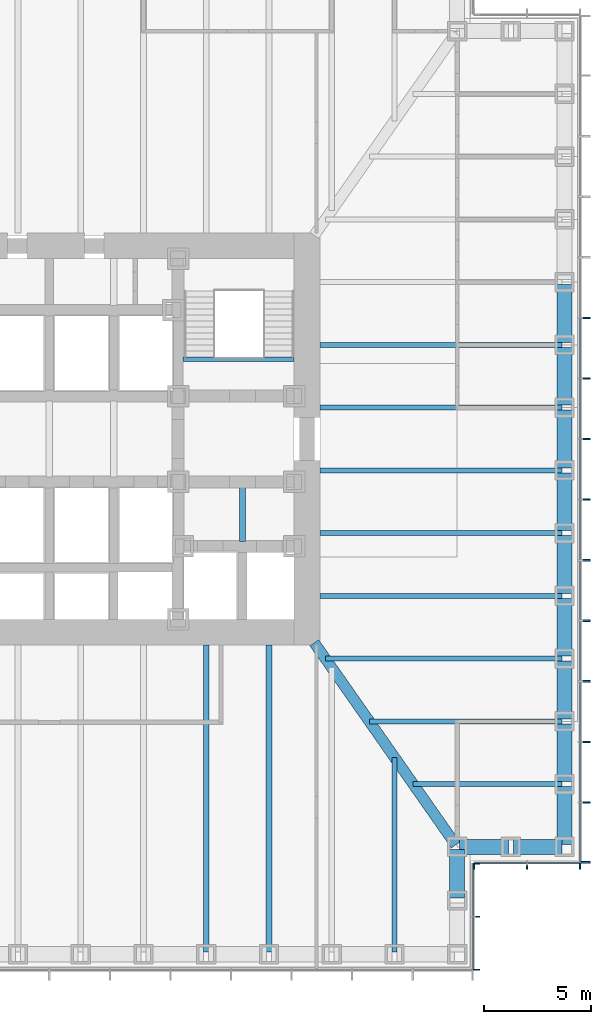
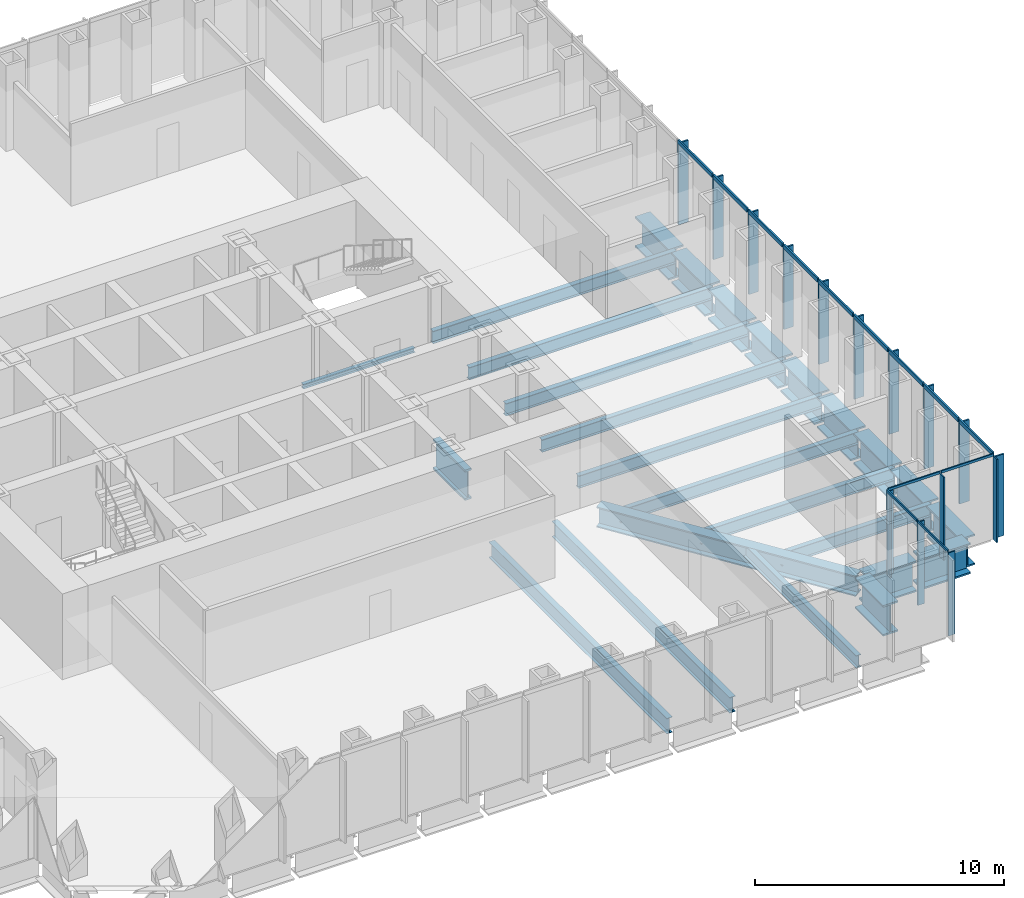
# One storey, part 4 of 17: 29 members, 26 beams, 3 elements without a shape of their own.
"""IFC4 building model written with IfcOpenShell, lengths in metres."""

from ifc_helpers import new_model, si_unit, direction, frame, origin, origin_2d, place, context, subcontext, project, spatial, rectangle, i_section, extrude, material, material_profile, profile_set, type_object, element, aggregate, save


model = new_model("IFC4")

# Units and contexts
model_context = context("Model", 3, precision=1e-05, world=origin(), true_north=direction((0.0, 1.0)))
body_context = subcontext(model_context, "Body", "Model", "MODEL_VIEW")
ifc_project = project(units=[si_unit("LENGTHUNIT", "METRE"), si_unit("AREAUNIT", "SQUARE_METRE"), si_unit("VOLUMEUNIT", "CUBIC_METRE"), si_unit("PLANEANGLEUNIT", "RADIAN"), si_unit("MASSUNIT", "GRAM", prefix="KILO")], contexts=[model_context])

# Site, building, storey
site_placement = place(None, origin())
site = spatial("IfcSite", under=ifc_project, at=site_placement, CompositionType="ELEMENT")
building_placement = place(site_placement, origin())
building = spatial("IfcBuilding", under=site, at=building_placement, Name="Daluyong Arena Tower", CompositionType="ELEMENT")
storey_placement = place(building_placement, frame((0.0, 0.0, 55.89990234375)))
storey = spatial("IfcBuildingStorey", under=building, at=storey_placement, Name="L11", CompositionType="ELEMENT", Elevation=55.89990234375)

# Curtain wall, members
ifc_material_1 = material(Name="Bronze anodised aluminium and glass", Category="aluminium")
curtain_wall_type_1 = type_object("IfcCurtainWallType", Name="Curtain wall CW1", PredefinedType="USERDEFINED", material=ifc_material_1)
curtain_wall_1_placement = place(storey_placement, origin())
curtain_wall_1 = element("IfcCurtainWall", 1, at=curtain_wall_1_placement, inside=storey, type_object=curtain_wall_type_1, Name="curtain wall L11 E", ObjectType="UNITISED CURTAIN WALL", PredefinedType="USERDEFINED")
ifc_material_2 = material(Name="Bronze anodised aluminium fin", Category="aluminium")
ifc_material_profile_1 = material_profile(ifc_material_2, rectangle(XDim=0.449951171875, YDim=0.080078125, at=origin_2d()))
ifc_profile_set_1 = profile_set([ifc_material_profile_1], Name="Bronze anodised aluminium fin")
member_type_1 = type_object("IfcMemberType", Name="CW1 bronze fin 450x80", PredefinedType="MULLION", material=ifc_profile_set_1)
member_1_placement = place(storey_placement, frame((80.97509765625, 60.2900390625, 0.0), z_axis=(0.0, 0.0, 1.0), x_axis=(-1.0, 0.0, 0.0)))
member_1 = element("IfcMember", 2, at=member_1_placement, type_object=member_type_1, Name="curtain wall L11 E fin 1", PredefinedType="MULLION", context=body_context, shape_type="SweptSolid", body=[
    extrude(rectangle(XDim=0.449951171875, YDim=0.080078125, at=origin_2d()), origin(), (0.0, 0.0, 1.0), 4.0),
])
member_2_placement = place(storey_placement, frame((80.97509765625, 63.071533203125, 0.0), z_axis=(0.0, 0.0, 1.0), x_axis=(-1.0, 0.0, 0.0)))
member_2 = element("IfcMember", 3, at=member_2_placement, type_object=member_type_1, Name="curtain wall L11 E fin 2", PredefinedType="MULLION", context=body_context, shape_type="SweptSolid", body=[
    extrude(rectangle(XDim=0.449951171875, YDim=0.080078125, at=origin_2d()), origin(), (0.0, 0.0, 1.0), 4.0),
])
member_3_placement = place(storey_placement, frame((80.97509765625, 65.892822265625, 0.0), z_axis=(0.0, 0.0, 1.0), x_axis=(-1.0, 0.0, 0.0)))
member_3 = element("IfcMember", 4, at=member_3_placement, type_object=member_type_1, Name="curtain wall L11 E fin 3", PredefinedType="MULLION", context=body_context, shape_type="SweptSolid", body=[
    extrude(rectangle(XDim=0.449951171875, YDim=0.080078125, at=origin_2d()), origin(), (0.0, 0.0, 1.0), 4.0),
])
member_4_placement = place(storey_placement, frame((80.97509765625, 68.71435546875, 0.0), z_axis=(0.0, 0.0, 1.0), x_axis=(-1.0, 0.0, 0.0)))
member_4 = element("IfcMember", 5, at=member_4_placement, type_object=member_type_1, Name="curtain wall L11 E fin 4", PredefinedType="MULLION", context=body_context, shape_type="SweptSolid", body=[
    extrude(rectangle(XDim=0.449951171875, YDim=0.080078125, at=origin_2d()), origin(), (0.0, 0.0, 1.0), 4.0),
])
member_5_placement = place(storey_placement, frame((80.97509765625, 71.53564453125, 0.0), z_axis=(0.0, 0.0, 1.0), x_axis=(-1.0, 0.0, 0.0)))
member_5 = element("IfcMember", 6, at=member_5_placement, type_object=member_type_1, Name="curtain wall L11 E fin 5", PredefinedType="MULLION", context=body_context, shape_type="SweptSolid", body=[
    extrude(rectangle(XDim=0.449951171875, YDim=0.080078125, at=origin_2d()), origin(), (0.0, 0.0, 1.0), 4.0),
])
member_6_placement = place(storey_placement, frame((80.97509765625, 74.357177734375, 0.0), z_axis=(0.0, 0.0, 1.0), x_axis=(-1.0, 0.0, 0.0)))
member_6 = element("IfcMember", 7, at=member_6_placement, type_object=member_type_1, Name="curtain wall L11 E fin 6", PredefinedType="MULLION", context=body_context, shape_type="SweptSolid", body=[
    extrude(rectangle(XDim=0.449951171875, YDim=0.080078125, at=origin_2d()), origin(), (0.0, 0.0, 1.0), 4.0),
])
member_7_placement = place(storey_placement, frame((80.97509765625, 77.178466796875, 0.0), z_axis=(0.0, 0.0, 1.0), x_axis=(-1.0, 0.0, 0.0)))
member_7 = element("IfcMember", 8, at=member_7_placement, type_object=member_type_1, Name="curtain wall L11 E fin 7", PredefinedType="MULLION", context=body_context, shape_type="SweptSolid", body=[
    extrude(rectangle(XDim=0.449951171875, YDim=0.080078125, at=origin_2d()), origin(), (0.0, 0.0, 1.0), 4.0),
])
member_8_placement = place(storey_placement, frame((80.97509765625, 80.0, 0.0), z_axis=(0.0, 0.0, 1.0), x_axis=(-1.0, 0.0, 0.0)))
member_8 = element("IfcMember", 9, at=member_8_placement, type_object=member_type_1, Name="curtain wall L11 E fin 8", PredefinedType="MULLION", context=body_context, shape_type="SweptSolid", body=[
    extrude(rectangle(XDim=0.449951171875, YDim=0.080078125, at=origin_2d()), origin(), (0.0, 0.0, 1.0), 4.0),
])
member_9_placement = place(storey_placement, frame((80.97509765625, 82.821533203125, 0.0), z_axis=(0.0, 0.0, 1.0), x_axis=(-1.0, 0.0, 0.0)))
member_9 = element("IfcMember", 10, at=member_9_placement, type_object=member_type_1, Name="curtain wall L11 E fin 9", PredefinedType="MULLION", context=body_context, shape_type="SweptSolid", body=[
    extrude(rectangle(XDim=0.449951171875, YDim=0.080078125, at=origin_2d()), origin(), (0.0, 0.0, 1.0), 4.0),
])
member_10_placement = place(storey_placement, frame((80.97509765625, 85.642822265625, 0.0), z_axis=(0.0, 0.0, 1.0), x_axis=(-1.0, 0.0, 0.0)))
member_10 = element("IfcMember", 11, at=member_10_placement, type_object=member_type_1, Name="curtain wall L11 E fin 10", PredefinedType="MULLION", context=body_context, shape_type="SweptSolid", body=[
    extrude(rectangle(XDim=0.449951171875, YDim=0.080078125, at=origin_2d()), origin(), (0.0, 0.0, 1.0), 4.0),
])
ifc_material_3 = material(Name="Bronze anodised aluminium", Category="aluminium")
ifc_material_profile_2 = material_profile(ifc_material_3, rectangle(XDim=0.080078125, YDim=0.199951171875, at=origin_2d()))
ifc_profile_set_2 = profile_set([ifc_material_profile_2], Name="Bronze anodised aluminium")
member_type_2 = type_object("IfcMemberType", Name="CW1 stack transom 200x80", PredefinedType="USERDEFINED", material=ifc_profile_set_2)
member_11_placement = place(storey_placement, frame((80.75, 60.330078125, 4.10009765625), z_axis=(0.0, 1.0, 0.0), x_axis=(-1.0, 0.0, 0.0)))
member_11 = element("IfcMember", 12, at=member_11_placement, type_object=member_type_2, Name="curtain wall L11 E transom 1", ObjectType="TRANSOM", PredefinedType="USERDEFINED", context=body_context, shape_type="SweptSolid", body=[
    extrude(rectangle(XDim=0.080078125, YDim=0.199951171875, at=origin_2d()), origin(), (0.0, 0.0, 1.0), 2.701416015625),
])
member_12_placement = place(storey_placement, frame((80.75, 63.111328125, 4.10009765625), z_axis=(0.0, 1.0, 0.0), x_axis=(-1.0, 0.0, 0.0)))
member_12 = element("IfcMember", 13, at=member_12_placement, type_object=member_type_2, Name="curtain wall L11 E transom 2", ObjectType="TRANSOM", PredefinedType="USERDEFINED", context=body_context, shape_type="SweptSolid", body=[
    extrude(rectangle(XDim=0.080078125, YDim=0.199951171875, at=origin_2d()), origin(), (0.0, 0.0, 1.0), 2.741455078125),
])
member_13_placement = place(storey_placement, frame((80.75, 65.932861328125, 4.10009765625), z_axis=(0.0, 1.0, 0.0), x_axis=(-1.0, 0.0, 0.0)))
member_13 = element("IfcMember", 14, at=member_13_placement, type_object=member_type_2, Name="curtain wall L11 E transom 3", ObjectType="TRANSOM", PredefinedType="USERDEFINED", context=body_context, shape_type="SweptSolid", body=[
    extrude(rectangle(XDim=0.080078125, YDim=0.199951171875, at=origin_2d()), origin(), (0.0, 0.0, 1.0), 2.741455078125),
])
member_14_placement = place(storey_placement, frame((80.75, 68.75439453125, 4.10009765625), z_axis=(0.0, 1.0, 0.0), x_axis=(-1.0, 0.0, 0.0)))
member_14 = element("IfcMember", 15, at=member_14_placement, type_object=member_type_2, Name="curtain wall L11 E transom 4", ObjectType="TRANSOM", PredefinedType="USERDEFINED", context=body_context, shape_type="SweptSolid", body=[
    extrude(rectangle(XDim=0.080078125, YDim=0.199951171875, at=origin_2d()), origin(), (0.0, 0.0, 1.0), 2.7412109375),
])
member_15_placement = place(storey_placement, frame((80.75, 71.57568359375, 4.10009765625), z_axis=(0.0, 1.0, 0.0), x_axis=(-1.0, 0.0, 0.0)))
member_15 = element("IfcMember", 16, at=member_15_placement, type_object=member_type_2, Name="curtain wall L11 E transom 5", ObjectType="TRANSOM", PredefinedType="USERDEFINED", context=body_context, shape_type="SweptSolid", body=[
    extrude(rectangle(XDim=0.080078125, YDim=0.199951171875, at=origin_2d()), origin(), (0.0, 0.0, 1.0), 2.741455078125),
])
member_16_placement = place(storey_placement, frame((80.75, 74.397216796875, 4.10009765625), z_axis=(0.0, 1.0, 0.0), x_axis=(-1.0, 0.0, 0.0)))
member_16 = element("IfcMember", 17, at=member_16_placement, type_object=member_type_2, Name="curtain wall L11 E transom 6", ObjectType="TRANSOM", PredefinedType="USERDEFINED", context=body_context, shape_type="SweptSolid", body=[
    extrude(rectangle(XDim=0.080078125, YDim=0.199951171875, at=origin_2d()), origin(), (0.0, 0.0, 1.0), 2.741455078125),
])
member_17_placement = place(storey_placement, frame((80.75, 77.218505859375, 4.10009765625), z_axis=(0.0, 1.0, 0.0), x_axis=(-1.0, 0.0, 0.0)))
member_17 = element("IfcMember", 18, at=member_17_placement, type_object=member_type_2, Name="curtain wall L11 E transom 7", ObjectType="TRANSOM", PredefinedType="USERDEFINED", context=body_context, shape_type="SweptSolid", body=[
    extrude(rectangle(XDim=0.080078125, YDim=0.199951171875, at=origin_2d()), origin(), (0.0, 0.0, 1.0), 2.741455078125),
])
member_18_placement = place(storey_placement, frame((80.75, 80.0400390625, 4.10009765625), z_axis=(0.0, 1.0, 0.0), x_axis=(-1.0, 0.0, 0.0)))
member_18 = element("IfcMember", 19, at=member_18_placement, type_object=member_type_2, Name="curtain wall L11 E transom 8", ObjectType="TRANSOM", PredefinedType="USERDEFINED", context=body_context, shape_type="SweptSolid", body=[
    extrude(rectangle(XDim=0.080078125, YDim=0.199951171875, at=origin_2d()), origin(), (0.0, 0.0, 1.0), 2.741455078125),
])
member_19_placement = place(storey_placement, frame((80.75, 82.861328125, 4.10009765625), z_axis=(0.0, 1.0, 0.0), x_axis=(-1.0, 0.0, 0.0)))
member_19 = element("IfcMember", 20, at=member_19_placement, type_object=member_type_2, Name="curtain wall L11 E transom 9", ObjectType="TRANSOM", PredefinedType="USERDEFINED", context=body_context, shape_type="SweptSolid", body=[
    extrude(rectangle(XDim=0.080078125, YDim=0.199951171875, at=origin_2d()), origin(), (0.0, 0.0, 1.0), 2.741455078125),
])
aggregate(curtain_wall_1, [member_1, member_2, member_3, member_4, member_5, member_6, member_7, member_8, member_9, member_10, member_11, member_12, member_13, member_14, member_15, member_16, member_17, member_18, member_19])

ifc_material_4 = material(Name="Bronze anodised aluminium and glass", Category="aluminium")
curtain_wall_type_2 = type_object("IfcCurtainWallType", Name="Curtain wall CW7", PredefinedType="USERDEFINED", material=ifc_material_4)
curtain_wall_2_placement = place(storey_placement, origin())
curtain_wall_2 = element("IfcCurtainWall", 21, at=curtain_wall_2_placement, inside=storey, type_object=curtain_wall_type_2, Name="curtain wall L11 SE-E", ObjectType="UNITISED CURTAIN WALL", PredefinedType="USERDEFINED")
ifc_material_5 = material(Name="Bronze anodised aluminium fin", Category="aluminium")
ifc_material_profile_3 = material_profile(ifc_material_5, rectangle(XDim=0.300048828125, YDim=0.06005859375, at=origin_2d()))
ifc_profile_set_3 = profile_set([ifc_material_profile_3], Name="Bronze anodised aluminium fin")
member_type_3 = type_object("IfcMemberType", Name="CW7 bronze fin 300x60", PredefinedType="MULLION", material=ifc_profile_set_3)
member_20_placement = place(storey_placement, frame((75.89990234375, 55.280029296875, 0.0), z_axis=(0.0, 0.0, 1.0), x_axis=(-1.0, 0.0, 0.0)))
member_20 = element("IfcMember", 22, at=member_20_placement, type_object=member_type_3, Name="curtain wall L11 SE-E fin 1", PredefinedType="MULLION", context=body_context, shape_type="SweptSolid", body=[
    extrude(rectangle(XDim=0.300048828125, YDim=0.06005859375, at=origin_2d()), origin(), (0.0, 0.0, 1.0), 4.080078125),
])
member_21_placement = place(storey_placement, frame((75.89990234375, 57.75, 0.0), z_axis=(0.0, 0.0, 1.0), x_axis=(-1.0, 0.0, 0.0)))
member_21 = element("IfcMember", 23, at=member_21_placement, type_object=member_type_3, Name="curtain wall L11 SE-E fin 2", PredefinedType="MULLION", context=body_context, shape_type="SweptSolid", body=[
    extrude(rectangle(XDim=0.300048828125, YDim=0.06005859375, at=origin_2d()), origin(), (0.0, 0.0, 1.0), 4.080078125),
])
member_22_placement = place(storey_placement, frame((75.89990234375, 60.219970703125, 0.0), z_axis=(0.0, 0.0, 1.0), x_axis=(-1.0, 0.0, 0.0)))
member_22 = element("IfcMember", 24, at=member_22_placement, type_object=member_type_3, Name="curtain wall L11 SE-E fin 3", PredefinedType="MULLION", context=body_context, shape_type="SweptSolid", body=[
    extrude(rectangle(XDim=0.300048828125, YDim=0.06005859375, at=origin_2d()), origin(), (0.0, 0.0, 1.0), 4.080078125),
])

curtain_wall_3_placement = place(storey_placement, origin())
curtain_wall_3 = element("IfcCurtainWall", 25, at=curtain_wall_3_placement, inside=storey, type_object=curtain_wall_type_2, Name="curtain wall L11 SE-S", ObjectType="UNITISED CURTAIN WALL", PredefinedType="USERDEFINED")
member_23_placement = place(storey_placement, frame((75.780029296875, 60.10009765625, 0.0), z_axis=(0.0, 0.0, 1.0), x_axis=(0.0, 1.0, 0.0)))
member_23 = element("IfcMember", 26, at=member_23_placement, type_object=member_type_3, Name="curtain wall L11 SE-S fin 1", PredefinedType="MULLION", context=body_context, shape_type="SweptSolid", body=[
    extrude(rectangle(XDim=0.300048828125, YDim=0.06005859375, at=origin_2d()), origin(), (0.0, 0.0, 1.0), 4.080078125),
])
member_24_placement = place(storey_placement, frame((78.25, 60.10009765625, 0.0), z_axis=(0.0, 0.0, 1.0), x_axis=(0.0, 1.0, 0.0)))
member_24 = element("IfcMember", 27, at=member_24_placement, type_object=member_type_3, Name="curtain wall L11 SE-S fin 2", PredefinedType="MULLION", context=body_context, shape_type="SweptSolid", body=[
    extrude(rectangle(XDim=0.300048828125, YDim=0.06005859375, at=origin_2d()), origin(), (0.0, 0.0, 1.0), 4.080078125),
])
member_25_placement = place(storey_placement, frame((80.719970703125, 60.10009765625, 0.0), z_axis=(0.0, 0.0, 1.0), x_axis=(0.0, 1.0, 0.0)))
member_25 = element("IfcMember", 28, at=member_25_placement, type_object=member_type_3, Name="curtain wall L11 SE-S fin 3", PredefinedType="MULLION", context=body_context, shape_type="SweptSolid", body=[
    extrude(rectangle(XDim=0.300048828125, YDim=0.06005859375, at=origin_2d()), origin(), (0.0, 0.0, 1.0), 4.080078125),
])

# Member
ifc_material_6 = material(Name="Bronze anodised aluminium", Category="aluminium")
ifc_material_profile_4 = material_profile(ifc_material_6, rectangle(XDim=0.06005859375, YDim=0.1201171875, at=origin_2d()))
ifc_profile_set_4 = profile_set([ifc_material_profile_4], Name="Bronze anodised aluminium")
member_type_4 = type_object("IfcMemberType", Name="CW7 stack transom 120x60", PredefinedType="USERDEFINED", material=ifc_profile_set_4)
member_26_placement = place(storey_placement, frame((75.75, 55.31005859375, 4.14013671875), z_axis=(0.0, 1.0, 0.0), x_axis=(-1.0, 0.0, 0.0)))
member_26 = element("IfcMember", 29, at=member_26_placement, type_object=member_type_4, Name="curtain wall L11 SE-E transom 1", ObjectType="TRANSOM", PredefinedType="USERDEFINED", context=body_context, shape_type="SweptSolid", body=[
    extrude(rectangle(XDim=0.06005859375, YDim=0.1201171875, at=origin_2d()), origin(), (0.0, 0.0, 1.0), 2.409912109375),
])

member_27_placement = place(storey_placement, frame((75.75, 57.780029296875, 4.14013671875), z_axis=(0.0, 1.0, 0.0), x_axis=(-1.0, 0.0, 0.0)))
member_27 = element("IfcMember", 30, at=member_27_placement, type_object=member_type_4, Name="curtain wall L11 SE-E transom 2", ObjectType="TRANSOM", PredefinedType="USERDEFINED", context=body_context, shape_type="SweptSolid", body=[
    extrude(rectangle(XDim=0.06005859375, YDim=0.1201171875, at=origin_2d()), origin(), (0.0, 0.0, 1.0), 2.409912109375),
])

aggregate(curtain_wall_2, [member_20, member_21, member_22, member_26, member_27])

member_28_placement = place(storey_placement, frame((75.81005859375, 60.25, 4.14013671875), z_axis=(1.0, 0.0, 0.0), x_axis=(0.0, 1.0, 0.0)))
member_28 = element("IfcMember", 31, at=member_28_placement, type_object=member_type_4, Name="curtain wall L11 SE-S transom 1", ObjectType="TRANSOM", PredefinedType="USERDEFINED", context=body_context, shape_type="SweptSolid", body=[
    extrude(rectangle(XDim=0.06005859375, YDim=0.1201171875, at=origin_2d()), origin(), (0.0, 0.0, 1.0), 2.409912109375),
])

member_29_placement = place(storey_placement, frame((78.280029296875, 60.25, 4.14013671875), z_axis=(1.0, 0.0, 0.0), x_axis=(0.0, 1.0, 0.0)))
member_29 = element("IfcMember", 32, at=member_29_placement, type_object=member_type_4, Name="curtain wall L11 SE-S transom 2", ObjectType="TRANSOM", PredefinedType="USERDEFINED", context=body_context, shape_type="SweptSolid", body=[
    extrude(rectangle(XDim=0.06005859375, YDim=0.1201171875, at=origin_2d()), origin(), (0.0, 0.0, 1.0), 2.409912109375),
])

aggregate(curtain_wall_3, [member_23, member_24, member_25, member_28, member_29])

# Beams
ifc_material_7 = material(Name="Steel ASTM A572 Grade 50", Category="steel")
ifc_material_profile_5 = material_profile(ifc_material_7, i_section(OverallWidth=0.5, OverallDepth=1.0, WebThickness=0.03, FlangeThickness=0.06, at=origin_2d()))
ifc_profile_set_5 = profile_set([ifc_material_profile_5], Name="Steel ASTM A572 Grade 50")
beam_type_1 = type_object("IfcBeamType", Name="Corner girder TB1000X500", PredefinedType="BEAM", material=ifc_profile_set_5)
beam_1_placement = place(storey_placement, frame((74.93408203125, 61.09423828125, -0.659912109375), z_axis=(-0.573466621875, 0.819228926244, 0.0), x_axis=(-0.819228926244, -0.573466621875, 0.0)))
element("IfcBeam", 33, at=beam_1_placement, inside=storey, type_object=beam_type_1, Name="corner girder DG2", PredefinedType="BEAM", context=body_context, shape_type="SweptSolid", body=[
    extrude(i_section(OverallWidth=0.5, OverallDepth=1.0, WebThickness=0.03, FlangeThickness=0.06, at=origin_2d()), origin(), (0.0, 0.0, 1.0), 11.49169921875),
])
ifc_material_8 = material(Name="Steel ASTM A992 Grade 50", Category="steel")
ifc_material_profile_6 = material_profile(ifc_material_8, i_section(OverallWidth=0.22900390625, OverallDepth=0.612060546875, WebThickness=0.011962890625, FlangeThickness=0.01953125, at=origin_2d()))
ifc_profile_set_6 = profile_set([ifc_material_profile_6], Name="Steel ASTM A992 Grade 50")
beam_type_2 = type_object("IfcBeamType", Name="Floor beam W24X84", PredefinedType="BEAM", material=ifc_profile_set_6)
beam_2_placement = place(storey_placement, frame((72.076904296875, 56.114990234375, -0.466064453125), z_axis=(0.0, 1.0, 0.0), x_axis=(-1.0, 0.0, 0.0)))
element("IfcBeam", 34, at=beam_2_placement, inside=storey, type_object=beam_type_2, Name="floor beam FB3", PredefinedType="BEAM", context=body_context, shape_type="SweptSolid", body=[
    extrude(i_section(OverallWidth=0.22900390625, OverallDepth=0.612060546875, WebThickness=0.011962890625, FlangeThickness=0.01953125, at=origin_2d()), origin(), (0.0, 0.0, 1.0), 9.060791015625),
])
beam_3_placement = place(storey_placement, frame((79.885009765625, 63.923095703125, -0.466064453125), z_axis=(-1.0, 0.0, 0.0), x_axis=(0.0, -1.0, 0.0)))
element("IfcBeam", 35, at=beam_3_placement, inside=storey, type_object=beam_type_2, Name="floor beam FB3", PredefinedType="BEAM", context=body_context, shape_type="SweptSolid", body=[
    extrude(i_section(OverallWidth=0.22900390625, OverallDepth=0.612060546875, WebThickness=0.011962890625, FlangeThickness=0.01953125, at=origin_2d()), origin(), (0.0, 0.0, 1.0), 6.93115234375),
])
beam_4_placement = place(storey_placement, frame((79.885009765625, 66.84619140625, -0.466064453125), z_axis=(-1.0, 0.0, 0.0), x_axis=(0.0, -1.0, 0.0)))
element("IfcBeam", 36, at=beam_4_placement, inside=storey, type_object=beam_type_2, Name="floor beam FB3", PredefinedType="BEAM", context=body_context, shape_type="SweptSolid", body=[
    extrude(i_section(OverallWidth=0.22900390625, OverallDepth=0.612060546875, WebThickness=0.011962890625, FlangeThickness=0.01953125, at=origin_2d()), origin(), (0.0, 0.0, 1.0), 8.977294921875),
])
beam_5_placement = place(storey_placement, frame((79.885009765625, 69.769287109375, -0.466064453125), z_axis=(-1.0, 0.0, 0.0), x_axis=(0.0, -1.0, 0.0)))
element("IfcBeam", 37, at=beam_5_placement, inside=storey, type_object=beam_type_2, Name="floor beam FB3", PredefinedType="BEAM", context=body_context, shape_type="SweptSolid", body=[
    extrude(i_section(OverallWidth=0.22900390625, OverallDepth=0.612060546875, WebThickness=0.011962890625, FlangeThickness=0.01953125, at=origin_2d()), origin(), (0.0, 0.0, 1.0), 11.0234375),
])
for number, where, z_axis, x_axis, name in (
    (38, (79.885009765625, 72.6923828125, -0.466064453125), (-1.0, 0.0, 0.0), (0.0, -1.0, 0.0), "floor beam FB3"),
    (39, (79.885009765625, 75.615478515625, -0.466064453125), (-1.0, 0.0, 0.0), (0.0, -1.0, 0.0), "floor beam FB3"),
    (40, (79.885009765625, 78.53857421875, -0.466064453125), (-1.0, 0.0, 0.0), (0.0, -1.0, 0.0), "floor beam FB3"),
    (41, (79.885009765625, 81.46142578125, -0.466064453125), (-1.0, 0.0, 0.0), (0.0, -1.0, 0.0), "floor beam FB3"),
    (42, (79.885009765625, 84.384521484375, -0.466064453125), (-1.0, 0.0, 0.0), (0.0, -1.0, 0.0), "floor beam FB3"),
):
    element("IfcBeam", number, at=place(storey_placement, frame(where, z_axis=z_axis, x_axis=x_axis)), inside=storey, type_object=beam_type_2, Name=name, PredefinedType="BEAM", context=body_context, shape_type="SweptSolid", body=[
        extrude(i_section(OverallWidth=0.22900390625, OverallDepth=0.612060546875, WebThickness=0.011962890625, FlangeThickness=0.01953125, at=origin_2d()), origin(), (0.0, 0.0, 1.0), 11.284912109375),
    ])
ifc_material_9 = material(Name="Steel ASTM A992 Grade 50", Category="steel")
ifc_material_profile_7 = material_profile(ifc_material_9, i_section(OverallWidth=0.2666015625, OverallDepth=0.761962890625, WebThickness=0.014404296875, FlangeThickness=0.021484375, at=origin_2d()))
ifc_profile_set_7 = profile_set([ifc_material_profile_7], Name="Steel ASTM A992 Grade 50")
beam_type_3 = type_object("IfcBeamType", Name="Floor beam W30X116", PredefinedType="BEAM", material=ifc_profile_set_7)
for number, where, z_axis, x_axis, name in (
    (43, (63.3076171875, 56.114990234375, -0.541015625), (0.0, 1.0, 0.0), (-1.0, 0.0, 0.0), "floor beam FB4"),
    (44, (66.230712890625, 56.114990234375, -0.541015625), (0.0, 1.0, 0.0), (-1.0, 0.0, 0.0), "floor beam FB4"),
):
    element("IfcBeam", number, at=place(storey_placement, frame(where, z_axis=z_axis, x_axis=x_axis)), inside=storey, type_object=beam_type_3, Name=name, PredefinedType="BEAM", context=body_context, shape_type="SweptSolid", body=[
        extrude(i_section(OverallWidth=0.2666015625, OverallDepth=0.761962890625, WebThickness=0.014404296875, FlangeThickness=0.021484375, at=origin_2d()), origin(), (0.0, 0.0, 1.0), 14.284912109375),
    ])
ifc_material_10 = material(Name="Steel ASTM A572 Grade 50", Category="steel")
ifc_material_profile_8 = material_profile(ifc_material_10, i_section(OverallWidth=0.300048828125, OverallDepth=1.5, WebThickness=0.04, FlangeThickness=0.1, at=origin_2d()))
ifc_profile_set_8 = profile_set([ifc_material_profile_8], Name="Steel ASTM A572 Grade 50")
beam_type_4 = type_object("IfcBeamType", Name="Lift divider beam PG1500X300", PredefinedType="BEAM", material=ifc_profile_set_8)
beam_6_placement = place(storey_placement, frame((65.0, 75.22509765625, -0.909912109375), z_axis=(0.0, 1.0, 0.0), x_axis=(-1.0, 0.0, 0.0)))
element("IfcBeam", 45, at=beam_6_placement, inside=storey, type_object=beam_type_4, Name="lift divider beam DB2", PredefinedType="BEAM", context=body_context, shape_type="SweptSolid", body=[
    extrude(i_section(OverallWidth=0.300048828125, OverallDepth=1.5, WebThickness=0.04, FlangeThickness=0.1, at=origin_2d()), origin(), (0.0, 0.0, 1.0), 2.5498046875),
])
ifc_material_11 = material(Name="Steel ASTM A572 Grade 50", Category="steel")
ifc_material_profile_9 = material_profile(ifc_material_11, i_section(OverallWidth=0.699951171875, OverallDepth=1.5, WebThickness=0.04, FlangeThickness=0.08, at=origin_2d()))
ifc_profile_set_9 = profile_set([ifc_material_profile_9], Name="Steel ASTM A572 Grade 50")
beam_type_5 = type_object("IfcBeamType", Name="Spandrel Z1 PG1500X700", PredefinedType="SPANDREL", material=ifc_profile_set_9)
for number, where, z_axis, x_axis, name in (
    (46, (75.0, 58.614990234375, -0.909912109375), (0.0, 1.0, 0.0), (-1.0, 0.0, 0.0), "spandrel z1 SB4"),
    (47, (75.114990234375, 61.0, -0.909912109375), (1.0, 0.0, 0.0), (0.0, 1.0, 0.0), "spandrel z1 SB4"),
    (48, (77.614990234375, 61.0, -0.909912109375), (1.0, 0.0, 0.0), (0.0, 1.0, 0.0), "spandrel z1 SB4"),
):
    element("IfcBeam", number, at=place(storey_placement, frame(where, z_axis=z_axis, x_axis=x_axis)), inside=storey, type_object=beam_type_5, Name=name, PredefinedType="SPANDREL", context=body_context, shape_type="SweptSolid", body=[
        extrude(i_section(OverallWidth=0.699951171875, OverallDepth=1.5, WebThickness=0.04, FlangeThickness=0.08, at=origin_2d()), origin(), (0.0, 0.0, 1.0), 2.27001953125),
    ])
for number, where, z_axis, x_axis, name in (
    (49, (80.0, 61.114990234375, -0.909912109375), (0.0, 1.0, 0.0), (-1.0, 0.0, 0.0), "spandrel z1 SB4"),
    (50, (80.0, 64.0380859375, -0.909912109375), (0.0, 1.0, 0.0), (-1.0, 0.0, 0.0), "spandrel z1 SB4"),
    (51, (80.0, 66.961181640625, -0.909912109375), (0.0, 1.0, 0.0), (-1.0, 0.0, 0.0), "spandrel z1 SB4"),
    (52, (80.0, 69.88427734375, -0.909912109375), (0.0, 1.0, 0.0), (-1.0, 0.0, 0.0), "spandrel z1 SB4"),
    (53, (80.0, 72.807373046875, -0.909912109375), (0.0, 1.0, 0.0), (-1.0, 0.0, 0.0), "spandrel z1 SB4"),
    (54, (80.0, 75.73046875, -0.909912109375), (0.0, 1.0, 0.0), (-1.0, 0.0, 0.0), "spandrel z1 SB4"),
):
    element("IfcBeam", number, at=place(storey_placement, frame(where, z_axis=z_axis, x_axis=x_axis)), inside=storey, type_object=beam_type_5, Name=name, PredefinedType="SPANDREL", context=body_context, shape_type="SweptSolid", body=[
        extrude(i_section(OverallWidth=0.699951171875, OverallDepth=1.5, WebThickness=0.04, FlangeThickness=0.08, at=origin_2d()), origin(), (0.0, 0.0, 1.0), 2.693115234375),
    ])
beam_7_placement = place(storey_placement, frame((80.0, 78.653564453125, -0.909912109375), z_axis=(0.0, 1.0, 0.0), x_axis=(-1.0, 0.0, 0.0)))
element("IfcBeam", 55, at=beam_7_placement, inside=storey, type_object=beam_type_5, Name="spandrel z1 SB4", PredefinedType="SPANDREL", context=body_context, shape_type="SweptSolid", body=[
    extrude(i_section(OverallWidth=0.699951171875, OverallDepth=1.5, WebThickness=0.04, FlangeThickness=0.08, at=origin_2d()), origin(), (0.0, 0.0, 1.0), 2.69287109375),
])
for number, where, z_axis, x_axis, name in (
    (56, (80.0, 81.576416015625, -0.909912109375), (0.0, 1.0, 0.0), (-1.0, 0.0, 0.0), "spandrel z1 SB4"),
    (57, (80.0, 84.49951171875, -0.909912109375), (0.0, 1.0, 0.0), (-1.0, 0.0, 0.0), "spandrel z1 SB4"),
):
    element("IfcBeam", number, at=place(storey_placement, frame(where, z_axis=z_axis, x_axis=x_axis)), inside=storey, type_object=beam_type_5, Name=name, PredefinedType="SPANDREL", context=body_context, shape_type="SweptSolid", body=[
        extrude(i_section(OverallWidth=0.699951171875, OverallDepth=1.5, WebThickness=0.04, FlangeThickness=0.08, at=origin_2d()), origin(), (0.0, 0.0, 1.0), 2.693115234375),
    ])
ifc_material_12 = material(Name="Steel ASTM A992 Grade 50", Category="steel")
ifc_material_profile_10 = material_profile(ifc_material_12, i_section(OverallWidth=0.203125, OverallDepth=0.203125, WebThickness=0.00732421875, FlangeThickness=0.010986328125, at=origin_2d()))
ifc_profile_set_10 = profile_set([ifc_material_profile_10], Name="Steel ASTM A992 Grade 50")
beam_type_6 = type_object("IfcBeamType", Name="Stair landing beam W8X31", PredefinedType="BEAM", material=ifc_profile_set_10)
beam_8_placement = place(storey_placement, frame((62.22509765625, 83.723388671875, -0.261474609375), z_axis=(1.0, 0.0, 0.0), x_axis=(0.0, 1.0, 0.0)))
element("IfcBeam", 58, at=beam_8_placement, inside=storey, type_object=beam_type_6, Name="exit stair B landing beam", PredefinedType="BEAM", context=body_context, shape_type="SweptSolid", body=[
    extrude(i_section(OverallWidth=0.203125, OverallDepth=0.203125, WebThickness=0.00732421875, FlangeThickness=0.010986328125, at=origin_2d()), origin(), (0.0, 0.0, 1.0), 5.1748046875),
])

save(model, "model.ifc")
